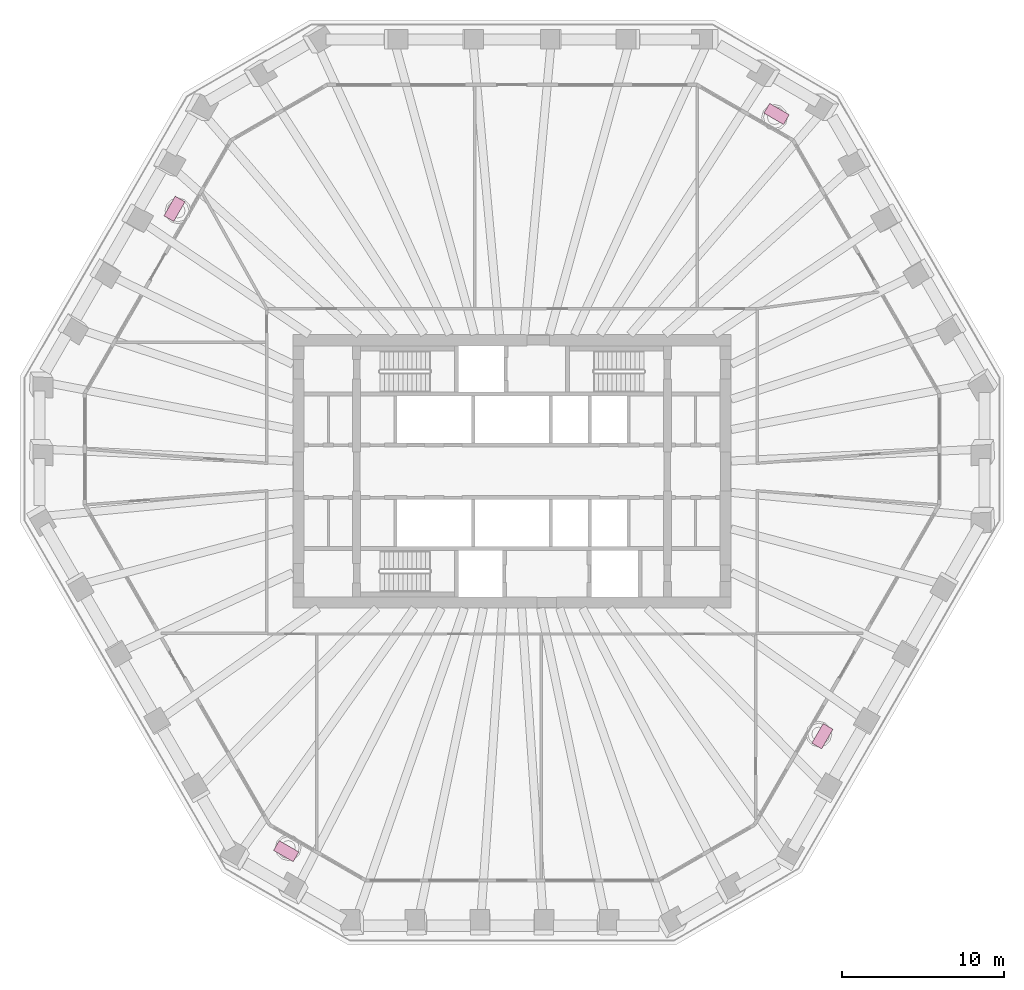
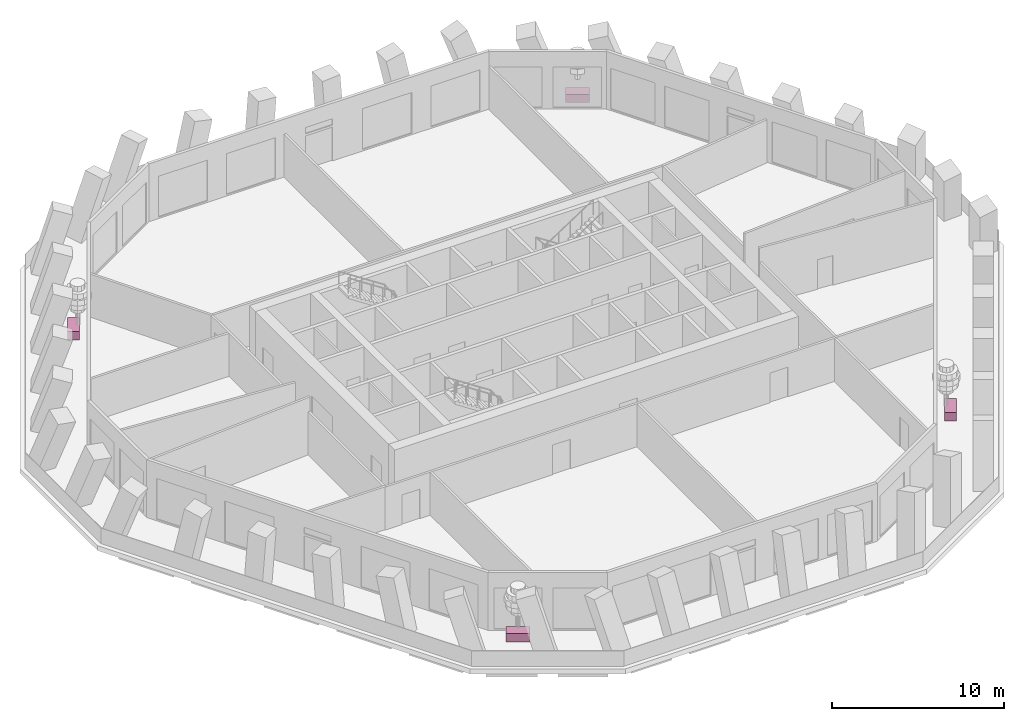
# One storey, part 10 of 11: 4 furniture elements.
"""IFC4 building model written with IfcOpenShell, lengths in metres."""

from ifc_helpers import new_model, si_unit, direction, frame, origin, origin_2d, place, context, subcontext, project, spatial, rectangle, extrude, material, type_object, element, save


model = new_model("IFC4")

# Units and contexts
model_context = context("Model", 3, precision=1e-05, world=origin(), true_north=direction((0.0, 1.0)))
body_context = subcontext(model_context, "Body", "Model", "MODEL_VIEW")
ifc_project = project(units=[si_unit("LENGTHUNIT", "METRE"), si_unit("AREAUNIT", "SQUARE_METRE"), si_unit("VOLUMEUNIT", "CUBIC_METRE"), si_unit("PLANEANGLEUNIT", "RADIAN"), si_unit("MASSUNIT", "GRAM", prefix="KILO")], contexts=[model_context])

# Site, building, storey
site_placement = place(None, origin())
site = spatial("IfcSite", under=ifc_project, at=site_placement, CompositionType="ELEMENT")
building_placement = place(site_placement, origin())
building = spatial("IfcBuilding", under=site, at=building_placement, Name="Frailejon Research Tower", CompositionType="ELEMENT")
storey_placement = place(building_placement, frame((0.0, 0.0, 198.0)))
storey = spatial("IfcBuildingStorey", under=building, at=storey_placement, Name="L43", CompositionType="ELEMENT", Elevation=198.0)

# Furniture
ifc_material = material(Name="Precast concrete C30/37 planter, terracotta", Category="masonry")
furniture_type = type_object("IfcFurnitureType", Name="Loggia planter 1400x700", AssemblyPlace="NOTDEFINED", PredefinedType="USERDEFINED", material=ifc_material)
for number, where, z_axis, x_axis, name in (
    (1, (16.35302734375, 22.0947265625, 0.0), (0.0, 0.0, 1.0), (-0.866025403784, 0.5, 0.0), "Planter L43"),
    (2, (-20.86328125, 16.229248046875, 0.0), (0.0, 0.0, 1.0), (-0.5, -0.866025403784, 0.0), "Planter L43"),
    (3, (-13.9580078125, -23.4775390625, 0.0), (0.0, 0.0, 1.0), (0.866025403784, -0.5, 0.0), "Planter L43"),
    (4, (19.186767578125, -16.367431640625, 0.0), (0.0, 0.0, 1.0), (0.5, 0.866025403784, 0.0), "Planter L43"),
):
    element("IfcFurniture", number, at=place(storey_placement, frame(where, z_axis=z_axis, x_axis=x_axis)), inside=storey, type_object=furniture_type, Name=name, ObjectType="PLANTER", PredefinedType="USERDEFINED", context=body_context, shape_type="SweptSolid", body=[
        extrude(rectangle(XDim=1.39990234375, YDim=0.699951171875, at=origin_2d()), origin(), (0.0, 0.0, 1.0), 0.60009765625),
    ])

save(model, "model.ifc")
